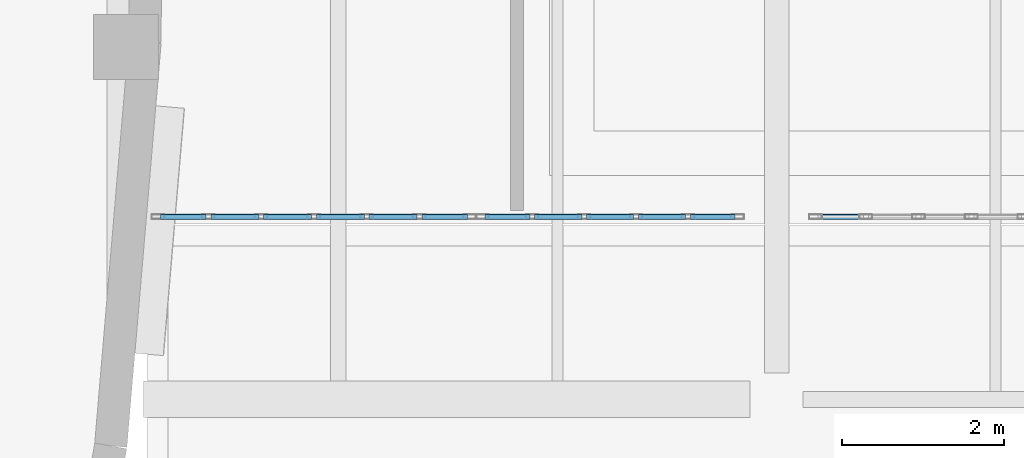
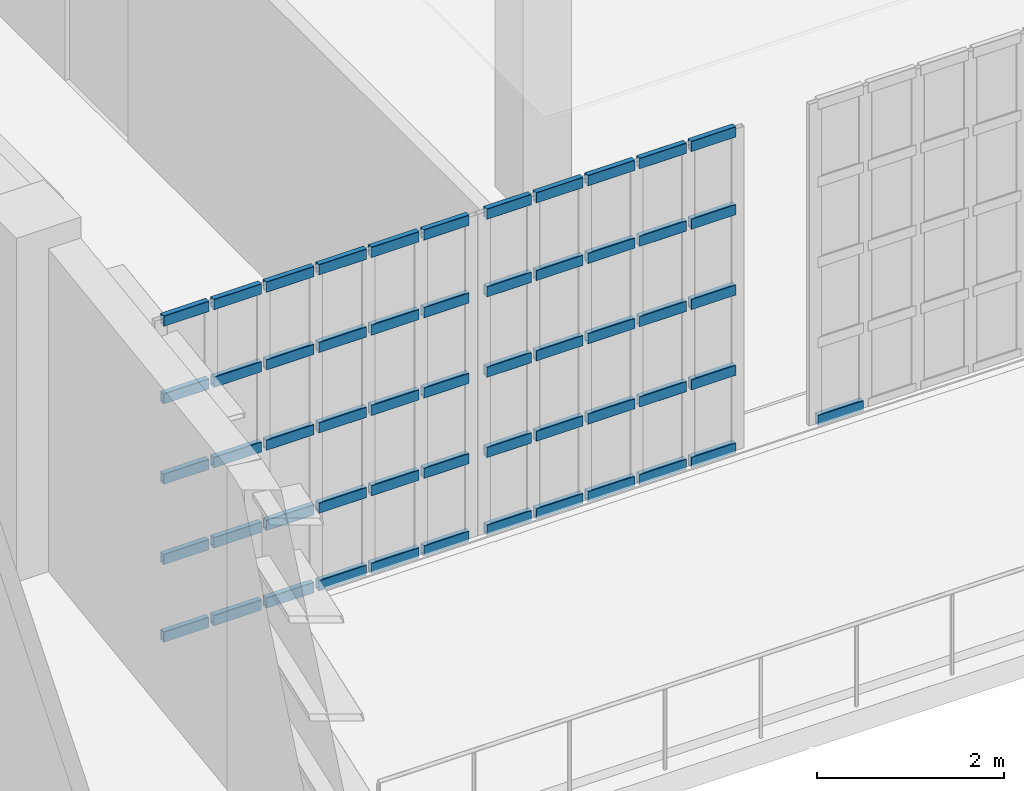
# One storey, part 35 of 73: 56 members, 3 elements without a shape of their own.
"""IFC4 building model written with IfcOpenShell, lengths in metres."""

from ifc_helpers import new_model, si_unit, direction, frame, origin, origin_2d, place, context, subcontext, project, spatial, hollow_rectangle, extrude, material, material_profile, profile_set, type_object, element, aggregate, save


model = new_model("IFC4")

# Units and contexts
model_context = context("Model", 3, precision=1e-05, world=origin(), true_north=direction((0.0, 1.0)))
body_context = subcontext(model_context, "Body", "Model", "MODEL_VIEW")
ifc_project = project(units=[si_unit("LENGTHUNIT", "METRE"), si_unit("AREAUNIT", "SQUARE_METRE"), si_unit("VOLUMEUNIT", "CUBIC_METRE"), si_unit("PLANEANGLEUNIT", "RADIAN"), si_unit("MASSUNIT", "GRAM", prefix="KILO")], contexts=[model_context])

# Site, building, storey
site_placement = place(None, origin())
site = spatial("IfcSite", under=ifc_project, at=site_placement, CompositionType="ELEMENT")
building_placement = place(site_placement, origin())
building = spatial("IfcBuilding", under=site, at=building_placement, Name="Kaelora Sail Theatre", CompositionType="ELEMENT")
storey_placement = place(building_placement, frame((0.0, 0.0, 10.199951171875)))
storey = spatial("IfcBuildingStorey", under=building, at=storey_placement, Name="L02", CompositionType="ELEMENT", Elevation=10.199951171875)

# Curtain wall, members
ifc_material_1 = material(Name="Anodised aluminium and solar-control low-E IGU", Category="aluminium")
curtain_wall_type = type_object("IfcCurtainWallType", Name="ARC-CW-CW-BRG", PredefinedType="NOTDEFINED", material=ifc_material_1)
curtain_wall_1_placement = place(storey_placement, origin())
curtain_wall_1 = element("IfcCurtainWall", 1, at=curtain_wall_1_placement, inside=storey, type_object=curtain_wall_type, Name="West Interstitial Sail Foyer Curtain Wall L02-01", PredefinedType="NOTDEFINED")
ifc_material_2 = material(Name="Anodised aluminium 6063-T6", Category="aluminium")
ifc_material_profile = material_profile(ifc_material_2, hollow_rectangle(XDim=0.070068359375, YDim=0.139892578125, WallThickness=0.00390625, InnerFilletRadius=0.00390625, OuterFilletRadius=0.008056640625, at=origin_2d()), Name="ALU-TRAN 70x140x4")
ifc_profile_set = profile_set([ifc_material_profile], Name="Anodised aluminium 6063-T6")
member_type = type_object("IfcMemberType", Name="ARC-MEM-TR-140", PredefinedType="USERDEFINED", material=ifc_profile_set)
member_1_placement = place(storey_placement, frame((58.7099609375, 48.389892578125, 0.03515625), z_axis=(1.0, 0.0, 0.0), x_axis=(0.0, 1.0, 0.0)))
member_1 = element("IfcMember", 2, at=member_1_placement, type_object=member_type, Name="CW-BRG transom 1.1", ObjectType="TRANSOM", PredefinedType="USERDEFINED", context=body_context, shape_type="SweptSolid", body=[
    extrude(hollow_rectangle(XDim=0.070068359375, YDim=0.139892578125, WallThickness=0.00390625, InnerFilletRadius=0.00390625, OuterFilletRadius=0.008056640625, at=origin_2d()), origin(), (0.0, 0.0, 1.0), 0.56005859375),
])
member_2_placement = place(storey_placement, frame((58.7099609375, 48.389892578125, 1.05126953125), z_axis=(1.0, 0.0, 0.0), x_axis=(0.0, 1.0, 0.0)))
member_2 = element("IfcMember", 3, at=member_2_placement, type_object=member_type, Name="CW-BRG transom 1.2", ObjectType="TRANSOM", PredefinedType="USERDEFINED", context=body_context, shape_type="SweptSolid", body=[
    extrude(hollow_rectangle(XDim=0.070068359375, YDim=0.139892578125, WallThickness=0.00390625, InnerFilletRadius=0.00390625, OuterFilletRadius=0.008056640625, at=origin_2d()), origin(), (0.0, 0.0, 1.0), 0.56005859375),
])
member_3_placement = place(storey_placement, frame((58.7099609375, 48.389892578125, 2.1025390625), z_axis=(1.0, 0.0, 0.0), x_axis=(0.0, 1.0, 0.0)))
member_3 = element("IfcMember", 4, at=member_3_placement, type_object=member_type, Name="CW-BRG transom 1.3", ObjectType="TRANSOM", PredefinedType="USERDEFINED", context=body_context, shape_type="SweptSolid", body=[
    extrude(hollow_rectangle(XDim=0.070068359375, YDim=0.139892578125, WallThickness=0.00390625, InnerFilletRadius=0.00390625, OuterFilletRadius=0.008056640625, at=origin_2d()), origin(), (0.0, 0.0, 1.0), 0.56005859375),
])
member_4_placement = place(storey_placement, frame((58.7099609375, 48.389892578125, 3.15380859375), z_axis=(1.0, 0.0, 0.0), x_axis=(0.0, 1.0, 0.0)))
member_4 = element("IfcMember", 5, at=member_4_placement, type_object=member_type, Name="CW-BRG transom 1.4", ObjectType="TRANSOM", PredefinedType="USERDEFINED", context=body_context, shape_type="SweptSolid", body=[
    extrude(hollow_rectangle(XDim=0.070068359375, YDim=0.139892578125, WallThickness=0.00390625, InnerFilletRadius=0.00390625, OuterFilletRadius=0.008056640625, at=origin_2d()), origin(), (0.0, 0.0, 1.0), 0.56005859375),
])
member_5_placement = place(storey_placement, frame((58.7099609375, 48.389892578125, 4.170166015625), z_axis=(1.0, 0.0, 0.0), x_axis=(0.0, 1.0, 0.0)))
member_5 = element("IfcMember", 6, at=member_5_placement, type_object=member_type, Name="CW-BRG transom 1.5", ObjectType="TRANSOM", PredefinedType="USERDEFINED", context=body_context, shape_type="SweptSolid", body=[
    extrude(hollow_rectangle(XDim=0.070068359375, YDim=0.139892578125, WallThickness=0.00390625, InnerFilletRadius=0.00390625, OuterFilletRadius=0.008056640625, at=origin_2d()), origin(), (0.0, 0.0, 1.0), 0.56005859375),
])
member_6_placement = place(storey_placement, frame((59.330078125, 48.389892578125, 0.03515625), z_axis=(1.0, 0.0, 0.0), x_axis=(0.0, 1.0, 0.0)))
member_6 = element("IfcMember", 7, at=member_6_placement, type_object=member_type, Name="CW-BRG transom 2.1", ObjectType="TRANSOM", PredefinedType="USERDEFINED", context=body_context, shape_type="SweptSolid", body=[
    extrude(hollow_rectangle(XDim=0.070068359375, YDim=0.139892578125, WallThickness=0.00390625, InnerFilletRadius=0.00390625, OuterFilletRadius=0.008056640625, at=origin_2d()), origin(), (0.0, 0.0, 1.0), 0.58984375),
])
member_7_placement = place(storey_placement, frame((59.330078125, 48.389892578125, 1.05126953125), z_axis=(1.0, 0.0, 0.0), x_axis=(0.0, 1.0, 0.0)))
member_7 = element("IfcMember", 8, at=member_7_placement, type_object=member_type, Name="CW-BRG transom 2.2", ObjectType="TRANSOM", PredefinedType="USERDEFINED", context=body_context, shape_type="SweptSolid", body=[
    extrude(hollow_rectangle(XDim=0.070068359375, YDim=0.139892578125, WallThickness=0.00390625, InnerFilletRadius=0.00390625, OuterFilletRadius=0.008056640625, at=origin_2d()), origin(), (0.0, 0.0, 1.0), 0.58984375),
])
member_8_placement = place(storey_placement, frame((59.330078125, 48.389892578125, 2.1025390625), z_axis=(1.0, 0.0, 0.0), x_axis=(0.0, 1.0, 0.0)))
member_8 = element("IfcMember", 9, at=member_8_placement, type_object=member_type, Name="CW-BRG transom 2.3", ObjectType="TRANSOM", PredefinedType="USERDEFINED", context=body_context, shape_type="SweptSolid", body=[
    extrude(hollow_rectangle(XDim=0.070068359375, YDim=0.139892578125, WallThickness=0.00390625, InnerFilletRadius=0.00390625, OuterFilletRadius=0.008056640625, at=origin_2d()), origin(), (0.0, 0.0, 1.0), 0.58984375),
])
member_9_placement = place(storey_placement, frame((59.330078125, 48.389892578125, 3.15380859375), z_axis=(1.0, 0.0, 0.0), x_axis=(0.0, 1.0, 0.0)))
member_9 = element("IfcMember", 10, at=member_9_placement, type_object=member_type, Name="CW-BRG transom 2.4", ObjectType="TRANSOM", PredefinedType="USERDEFINED", context=body_context, shape_type="SweptSolid", body=[
    extrude(hollow_rectangle(XDim=0.070068359375, YDim=0.139892578125, WallThickness=0.00390625, InnerFilletRadius=0.00390625, OuterFilletRadius=0.008056640625, at=origin_2d()), origin(), (0.0, 0.0, 1.0), 0.58984375),
])
member_10_placement = place(storey_placement, frame((59.330078125, 48.389892578125, 4.170166015625), z_axis=(1.0, 0.0, 0.0), x_axis=(0.0, 1.0, 0.0)))
member_10 = element("IfcMember", 11, at=member_10_placement, type_object=member_type, Name="CW-BRG transom 2.5", ObjectType="TRANSOM", PredefinedType="USERDEFINED", context=body_context, shape_type="SweptSolid", body=[
    extrude(hollow_rectangle(XDim=0.070068359375, YDim=0.139892578125, WallThickness=0.00390625, InnerFilletRadius=0.00390625, OuterFilletRadius=0.008056640625, at=origin_2d()), origin(), (0.0, 0.0, 1.0), 0.58984375),
])
member_11_placement = place(storey_placement, frame((59.97998046875, 48.389892578125, 0.03515625), z_axis=(1.0, 0.0, 0.0), x_axis=(0.0, 1.0, 0.0)))
member_11 = element("IfcMember", 12, at=member_11_placement, type_object=member_type, Name="CW-BRG transom 3.1", ObjectType="TRANSOM", PredefinedType="USERDEFINED", context=body_context, shape_type="SweptSolid", body=[
    extrude(hollow_rectangle(XDim=0.070068359375, YDim=0.139892578125, WallThickness=0.00390625, InnerFilletRadius=0.00390625, OuterFilletRadius=0.008056640625, at=origin_2d()), origin(), (0.0, 0.0, 1.0), 0.590087890625),
])
member_12_placement = place(storey_placement, frame((59.97998046875, 48.389892578125, 1.05126953125), z_axis=(1.0, 0.0, 0.0), x_axis=(0.0, 1.0, 0.0)))
member_12 = element("IfcMember", 13, at=member_12_placement, type_object=member_type, Name="CW-BRG transom 3.2", ObjectType="TRANSOM", PredefinedType="USERDEFINED", context=body_context, shape_type="SweptSolid", body=[
    extrude(hollow_rectangle(XDim=0.070068359375, YDim=0.139892578125, WallThickness=0.00390625, InnerFilletRadius=0.00390625, OuterFilletRadius=0.008056640625, at=origin_2d()), origin(), (0.0, 0.0, 1.0), 0.590087890625),
])
member_13_placement = place(storey_placement, frame((59.97998046875, 48.389892578125, 2.1025390625), z_axis=(1.0, 0.0, 0.0), x_axis=(0.0, 1.0, 0.0)))
member_13 = element("IfcMember", 14, at=member_13_placement, type_object=member_type, Name="CW-BRG transom 3.3", ObjectType="TRANSOM", PredefinedType="USERDEFINED", context=body_context, shape_type="SweptSolid", body=[
    extrude(hollow_rectangle(XDim=0.070068359375, YDim=0.139892578125, WallThickness=0.00390625, InnerFilletRadius=0.00390625, OuterFilletRadius=0.008056640625, at=origin_2d()), origin(), (0.0, 0.0, 1.0), 0.590087890625),
])
member_14_placement = place(storey_placement, frame((59.97998046875, 48.389892578125, 3.15380859375), z_axis=(1.0, 0.0, 0.0), x_axis=(0.0, 1.0, 0.0)))
member_14 = element("IfcMember", 15, at=member_14_placement, type_object=member_type, Name="CW-BRG transom 3.4", ObjectType="TRANSOM", PredefinedType="USERDEFINED", context=body_context, shape_type="SweptSolid", body=[
    extrude(hollow_rectangle(XDim=0.070068359375, YDim=0.139892578125, WallThickness=0.00390625, InnerFilletRadius=0.00390625, OuterFilletRadius=0.008056640625, at=origin_2d()), origin(), (0.0, 0.0, 1.0), 0.590087890625),
])
member_15_placement = place(storey_placement, frame((59.97998046875, 48.389892578125, 4.170166015625), z_axis=(1.0, 0.0, 0.0), x_axis=(0.0, 1.0, 0.0)))
member_15 = element("IfcMember", 16, at=member_15_placement, type_object=member_type, Name="CW-BRG transom 3.5", ObjectType="TRANSOM", PredefinedType="USERDEFINED", context=body_context, shape_type="SweptSolid", body=[
    extrude(hollow_rectangle(XDim=0.070068359375, YDim=0.139892578125, WallThickness=0.00390625, InnerFilletRadius=0.00390625, OuterFilletRadius=0.008056640625, at=origin_2d()), origin(), (0.0, 0.0, 1.0), 0.590087890625),
])
member_16_placement = place(storey_placement, frame((60.6298828125, 48.389892578125, 0.03515625), z_axis=(1.0, 0.0, 0.0), x_axis=(0.0, 1.0, 0.0)))
member_16 = element("IfcMember", 17, at=member_16_placement, type_object=member_type, Name="CW-BRG transom 4.1", ObjectType="TRANSOM", PredefinedType="USERDEFINED", context=body_context, shape_type="SweptSolid", body=[
    extrude(hollow_rectangle(XDim=0.070068359375, YDim=0.139892578125, WallThickness=0.00390625, InnerFilletRadius=0.00390625, OuterFilletRadius=0.008056640625, at=origin_2d()), origin(), (0.0, 0.0, 1.0), 0.590087890625),
])
member_17_placement = place(storey_placement, frame((60.6298828125, 48.389892578125, 1.05126953125), z_axis=(1.0, 0.0, 0.0), x_axis=(0.0, 1.0, 0.0)))
member_17 = element("IfcMember", 18, at=member_17_placement, type_object=member_type, Name="CW-BRG transom 4.2", ObjectType="TRANSOM", PredefinedType="USERDEFINED", context=body_context, shape_type="SweptSolid", body=[
    extrude(hollow_rectangle(XDim=0.070068359375, YDim=0.139892578125, WallThickness=0.00390625, InnerFilletRadius=0.00390625, OuterFilletRadius=0.008056640625, at=origin_2d()), origin(), (0.0, 0.0, 1.0), 0.590087890625),
])
member_18_placement = place(storey_placement, frame((60.6298828125, 48.389892578125, 2.1025390625), z_axis=(1.0, 0.0, 0.0), x_axis=(0.0, 1.0, 0.0)))
member_18 = element("IfcMember", 19, at=member_18_placement, type_object=member_type, Name="CW-BRG transom 4.3", ObjectType="TRANSOM", PredefinedType="USERDEFINED", context=body_context, shape_type="SweptSolid", body=[
    extrude(hollow_rectangle(XDim=0.070068359375, YDim=0.139892578125, WallThickness=0.00390625, InnerFilletRadius=0.00390625, OuterFilletRadius=0.008056640625, at=origin_2d()), origin(), (0.0, 0.0, 1.0), 0.590087890625),
])
member_19_placement = place(storey_placement, frame((60.6298828125, 48.389892578125, 3.15380859375), z_axis=(1.0, 0.0, 0.0), x_axis=(0.0, 1.0, 0.0)))
member_19 = element("IfcMember", 20, at=member_19_placement, type_object=member_type, Name="CW-BRG transom 4.4", ObjectType="TRANSOM", PredefinedType="USERDEFINED", context=body_context, shape_type="SweptSolid", body=[
    extrude(hollow_rectangle(XDim=0.070068359375, YDim=0.139892578125, WallThickness=0.00390625, InnerFilletRadius=0.00390625, OuterFilletRadius=0.008056640625, at=origin_2d()), origin(), (0.0, 0.0, 1.0), 0.590087890625),
])
member_20_placement = place(storey_placement, frame((60.6298828125, 48.389892578125, 4.170166015625), z_axis=(1.0, 0.0, 0.0), x_axis=(0.0, 1.0, 0.0)))
member_20 = element("IfcMember", 21, at=member_20_placement, type_object=member_type, Name="CW-BRG transom 4.5", ObjectType="TRANSOM", PredefinedType="USERDEFINED", context=body_context, shape_type="SweptSolid", body=[
    extrude(hollow_rectangle(XDim=0.070068359375, YDim=0.139892578125, WallThickness=0.00390625, InnerFilletRadius=0.00390625, OuterFilletRadius=0.008056640625, at=origin_2d()), origin(), (0.0, 0.0, 1.0), 0.590087890625),
])
member_21_placement = place(storey_placement, frame((61.280029296875, 48.389892578125, 0.03515625), z_axis=(1.0, 0.0, 0.0), x_axis=(0.0, 1.0, 0.0)))
member_21 = element("IfcMember", 22, at=member_21_placement, type_object=member_type, Name="CW-BRG transom 5.1", ObjectType="TRANSOM", PredefinedType="USERDEFINED", context=body_context, shape_type="SweptSolid", body=[
    extrude(hollow_rectangle(XDim=0.070068359375, YDim=0.139892578125, WallThickness=0.00390625, InnerFilletRadius=0.00390625, OuterFilletRadius=0.008056640625, at=origin_2d()), origin(), (0.0, 0.0, 1.0), 0.590087890625),
])
member_22_placement = place(storey_placement, frame((61.280029296875, 48.389892578125, 1.05126953125), z_axis=(1.0, 0.0, 0.0), x_axis=(0.0, 1.0, 0.0)))
member_22 = element("IfcMember", 23, at=member_22_placement, type_object=member_type, Name="CW-BRG transom 5.2", ObjectType="TRANSOM", PredefinedType="USERDEFINED", context=body_context, shape_type="SweptSolid", body=[
    extrude(hollow_rectangle(XDim=0.070068359375, YDim=0.139892578125, WallThickness=0.00390625, InnerFilletRadius=0.00390625, OuterFilletRadius=0.008056640625, at=origin_2d()), origin(), (0.0, 0.0, 1.0), 0.590087890625),
])
member_23_placement = place(storey_placement, frame((61.280029296875, 48.389892578125, 2.1025390625), z_axis=(1.0, 0.0, 0.0), x_axis=(0.0, 1.0, 0.0)))
member_23 = element("IfcMember", 24, at=member_23_placement, type_object=member_type, Name="CW-BRG transom 5.3", ObjectType="TRANSOM", PredefinedType="USERDEFINED", context=body_context, shape_type="SweptSolid", body=[
    extrude(hollow_rectangle(XDim=0.070068359375, YDim=0.139892578125, WallThickness=0.00390625, InnerFilletRadius=0.00390625, OuterFilletRadius=0.008056640625, at=origin_2d()), origin(), (0.0, 0.0, 1.0), 0.590087890625),
])
member_24_placement = place(storey_placement, frame((61.280029296875, 48.389892578125, 3.15380859375), z_axis=(1.0, 0.0, 0.0), x_axis=(0.0, 1.0, 0.0)))
member_24 = element("IfcMember", 25, at=member_24_placement, type_object=member_type, Name="CW-BRG transom 5.4", ObjectType="TRANSOM", PredefinedType="USERDEFINED", context=body_context, shape_type="SweptSolid", body=[
    extrude(hollow_rectangle(XDim=0.070068359375, YDim=0.139892578125, WallThickness=0.00390625, InnerFilletRadius=0.00390625, OuterFilletRadius=0.008056640625, at=origin_2d()), origin(), (0.0, 0.0, 1.0), 0.590087890625),
])
member_25_placement = place(storey_placement, frame((61.280029296875, 48.389892578125, 4.170166015625), z_axis=(1.0, 0.0, 0.0), x_axis=(0.0, 1.0, 0.0)))
member_25 = element("IfcMember", 26, at=member_25_placement, type_object=member_type, Name="CW-BRG transom 5.5", ObjectType="TRANSOM", PredefinedType="USERDEFINED", context=body_context, shape_type="SweptSolid", body=[
    extrude(hollow_rectangle(XDim=0.070068359375, YDim=0.139892578125, WallThickness=0.00390625, InnerFilletRadius=0.00390625, OuterFilletRadius=0.008056640625, at=origin_2d()), origin(), (0.0, 0.0, 1.0), 0.590087890625),
])
member_26_placement = place(storey_placement, frame((61.929931640625, 48.389892578125, 0.03515625), z_axis=(1.0, 0.0, 0.0), x_axis=(0.0, 1.0, 0.0)))
member_26 = element("IfcMember", 27, at=member_26_placement, type_object=member_type, Name="CW-BRG transom 6.1", ObjectType="TRANSOM", PredefinedType="USERDEFINED", context=body_context, shape_type="SweptSolid", body=[
    extrude(hollow_rectangle(XDim=0.070068359375, YDim=0.139892578125, WallThickness=0.00390625, InnerFilletRadius=0.00390625, OuterFilletRadius=0.008056640625, at=origin_2d()), origin(), (0.0, 0.0, 1.0), 0.56005859375),
])
member_27_placement = place(storey_placement, frame((61.929931640625, 48.389892578125, 1.05126953125), z_axis=(1.0, 0.0, 0.0), x_axis=(0.0, 1.0, 0.0)))
member_27 = element("IfcMember", 28, at=member_27_placement, type_object=member_type, Name="CW-BRG transom 6.2", ObjectType="TRANSOM", PredefinedType="USERDEFINED", context=body_context, shape_type="SweptSolid", body=[
    extrude(hollow_rectangle(XDim=0.070068359375, YDim=0.139892578125, WallThickness=0.00390625, InnerFilletRadius=0.00390625, OuterFilletRadius=0.008056640625, at=origin_2d()), origin(), (0.0, 0.0, 1.0), 0.56005859375),
])
member_28_placement = place(storey_placement, frame((61.929931640625, 48.389892578125, 2.1025390625), z_axis=(1.0, 0.0, 0.0), x_axis=(0.0, 1.0, 0.0)))
member_28 = element("IfcMember", 29, at=member_28_placement, type_object=member_type, Name="CW-BRG transom 6.3", ObjectType="TRANSOM", PredefinedType="USERDEFINED", context=body_context, shape_type="SweptSolid", body=[
    extrude(hollow_rectangle(XDim=0.070068359375, YDim=0.139892578125, WallThickness=0.00390625, InnerFilletRadius=0.00390625, OuterFilletRadius=0.008056640625, at=origin_2d()), origin(), (0.0, 0.0, 1.0), 0.56005859375),
])
member_29_placement = place(storey_placement, frame((61.929931640625, 48.389892578125, 3.15380859375), z_axis=(1.0, 0.0, 0.0), x_axis=(0.0, 1.0, 0.0)))
member_29 = element("IfcMember", 30, at=member_29_placement, type_object=member_type, Name="CW-BRG transom 6.4", ObjectType="TRANSOM", PredefinedType="USERDEFINED", context=body_context, shape_type="SweptSolid", body=[
    extrude(hollow_rectangle(XDim=0.070068359375, YDim=0.139892578125, WallThickness=0.00390625, InnerFilletRadius=0.00390625, OuterFilletRadius=0.008056640625, at=origin_2d()), origin(), (0.0, 0.0, 1.0), 0.56005859375),
])
member_30_placement = place(storey_placement, frame((61.929931640625, 48.389892578125, 4.170166015625), z_axis=(1.0, 0.0, 0.0), x_axis=(0.0, 1.0, 0.0)))
member_30 = element("IfcMember", 31, at=member_30_placement, type_object=member_type, Name="CW-BRG transom 6.5", ObjectType="TRANSOM", PredefinedType="USERDEFINED", context=body_context, shape_type="SweptSolid", body=[
    extrude(hollow_rectangle(XDim=0.070068359375, YDim=0.139892578125, WallThickness=0.00390625, InnerFilletRadius=0.00390625, OuterFilletRadius=0.008056640625, at=origin_2d()), origin(), (0.0, 0.0, 1.0), 0.56005859375),
])
aggregate(curtain_wall_1, [member_1, member_2, member_3, member_4, member_5, member_6, member_7, member_8, member_9, member_10, member_11, member_12, member_13, member_14, member_15, member_16, member_17, member_18, member_19, member_20, member_21, member_22, member_23, member_24, member_25, member_26, member_27, member_28, member_29, member_30])

curtain_wall_2_placement = place(storey_placement, origin())
curtain_wall_2 = element("IfcCurtainWall", 32, at=curtain_wall_2_placement, inside=storey, type_object=curtain_wall_type, Name="West Interstitial Sail Foyer Curtain Wall L02-02", PredefinedType="NOTDEFINED")
member_31_placement = place(storey_placement, frame((62.7099609375, 48.389892578125, 0.03515625), z_axis=(1.0, 0.0, 0.0), x_axis=(0.0, 1.0, 0.0)))
member_31 = element("IfcMember", 33, at=member_31_placement, type_object=member_type, Name="CW-BRG transom 1.1", ObjectType="TRANSOM", PredefinedType="USERDEFINED", context=body_context, shape_type="SweptSolid", body=[
    extrude(hollow_rectangle(XDim=0.070068359375, YDim=0.139892578125, WallThickness=0.00390625, InnerFilletRadius=0.00390625, OuterFilletRadius=0.008056640625, at=origin_2d()), origin(), (0.0, 0.0, 1.0), 0.550048828125),
])
member_32_placement = place(storey_placement, frame((62.7099609375, 48.389892578125, 1.05126953125), z_axis=(1.0, 0.0, 0.0), x_axis=(0.0, 1.0, 0.0)))
member_32 = element("IfcMember", 34, at=member_32_placement, type_object=member_type, Name="CW-BRG transom 1.2", ObjectType="TRANSOM", PredefinedType="USERDEFINED", context=body_context, shape_type="SweptSolid", body=[
    extrude(hollow_rectangle(XDim=0.070068359375, YDim=0.139892578125, WallThickness=0.00390625, InnerFilletRadius=0.00390625, OuterFilletRadius=0.008056640625, at=origin_2d()), origin(), (0.0, 0.0, 1.0), 0.550048828125),
])
member_33_placement = place(storey_placement, frame((62.7099609375, 48.389892578125, 2.1025390625), z_axis=(1.0, 0.0, 0.0), x_axis=(0.0, 1.0, 0.0)))
member_33 = element("IfcMember", 35, at=member_33_placement, type_object=member_type, Name="CW-BRG transom 1.3", ObjectType="TRANSOM", PredefinedType="USERDEFINED", context=body_context, shape_type="SweptSolid", body=[
    extrude(hollow_rectangle(XDim=0.070068359375, YDim=0.139892578125, WallThickness=0.00390625, InnerFilletRadius=0.00390625, OuterFilletRadius=0.008056640625, at=origin_2d()), origin(), (0.0, 0.0, 1.0), 0.550048828125),
])
member_34_placement = place(storey_placement, frame((62.7099609375, 48.389892578125, 3.15380859375), z_axis=(1.0, 0.0, 0.0), x_axis=(0.0, 1.0, 0.0)))
member_34 = element("IfcMember", 36, at=member_34_placement, type_object=member_type, Name="CW-BRG transom 1.4", ObjectType="TRANSOM", PredefinedType="USERDEFINED", context=body_context, shape_type="SweptSolid", body=[
    extrude(hollow_rectangle(XDim=0.070068359375, YDim=0.139892578125, WallThickness=0.00390625, InnerFilletRadius=0.00390625, OuterFilletRadius=0.008056640625, at=origin_2d()), origin(), (0.0, 0.0, 1.0), 0.550048828125),
])
member_35_placement = place(storey_placement, frame((62.7099609375, 48.389892578125, 4.170166015625), z_axis=(1.0, 0.0, 0.0), x_axis=(0.0, 1.0, 0.0)))
member_35 = element("IfcMember", 37, at=member_35_placement, type_object=member_type, Name="CW-BRG transom 1.5", ObjectType="TRANSOM", PredefinedType="USERDEFINED", context=body_context, shape_type="SweptSolid", body=[
    extrude(hollow_rectangle(XDim=0.070068359375, YDim=0.139892578125, WallThickness=0.00390625, InnerFilletRadius=0.00390625, OuterFilletRadius=0.008056640625, at=origin_2d()), origin(), (0.0, 0.0, 1.0), 0.550048828125),
])
member_36_placement = place(storey_placement, frame((63.320068359375, 48.389892578125, 0.03515625), z_axis=(1.0, 0.0, 0.0), x_axis=(0.0, 1.0, 0.0)))
member_36 = element("IfcMember", 38, at=member_36_placement, type_object=member_type, Name="CW-BRG transom 2.1", ObjectType="TRANSOM", PredefinedType="USERDEFINED", context=body_context, shape_type="SweptSolid", body=[
    extrude(hollow_rectangle(XDim=0.070068359375, YDim=0.139892578125, WallThickness=0.00390625, InnerFilletRadius=0.00390625, OuterFilletRadius=0.008056640625, at=origin_2d()), origin(), (0.0, 0.0, 1.0), 0.579833984375),
])
member_37_placement = place(storey_placement, frame((63.320068359375, 48.389892578125, 1.05126953125), z_axis=(1.0, 0.0, 0.0), x_axis=(0.0, 1.0, 0.0)))
member_37 = element("IfcMember", 39, at=member_37_placement, type_object=member_type, Name="CW-BRG transom 2.2", ObjectType="TRANSOM", PredefinedType="USERDEFINED", context=body_context, shape_type="SweptSolid", body=[
    extrude(hollow_rectangle(XDim=0.070068359375, YDim=0.139892578125, WallThickness=0.00390625, InnerFilletRadius=0.00390625, OuterFilletRadius=0.008056640625, at=origin_2d()), origin(), (0.0, 0.0, 1.0), 0.579833984375),
])
member_38_placement = place(storey_placement, frame((63.320068359375, 48.389892578125, 2.1025390625), z_axis=(1.0, 0.0, 0.0), x_axis=(0.0, 1.0, 0.0)))
member_38 = element("IfcMember", 40, at=member_38_placement, type_object=member_type, Name="CW-BRG transom 2.3", ObjectType="TRANSOM", PredefinedType="USERDEFINED", context=body_context, shape_type="SweptSolid", body=[
    extrude(hollow_rectangle(XDim=0.070068359375, YDim=0.139892578125, WallThickness=0.00390625, InnerFilletRadius=0.00390625, OuterFilletRadius=0.008056640625, at=origin_2d()), origin(), (0.0, 0.0, 1.0), 0.579833984375),
])
member_39_placement = place(storey_placement, frame((63.320068359375, 48.389892578125, 3.15380859375), z_axis=(1.0, 0.0, 0.0), x_axis=(0.0, 1.0, 0.0)))
member_39 = element("IfcMember", 41, at=member_39_placement, type_object=member_type, Name="CW-BRG transom 2.4", ObjectType="TRANSOM", PredefinedType="USERDEFINED", context=body_context, shape_type="SweptSolid", body=[
    extrude(hollow_rectangle(XDim=0.070068359375, YDim=0.139892578125, WallThickness=0.00390625, InnerFilletRadius=0.00390625, OuterFilletRadius=0.008056640625, at=origin_2d()), origin(), (0.0, 0.0, 1.0), 0.579833984375),
])
member_40_placement = place(storey_placement, frame((63.320068359375, 48.389892578125, 4.170166015625), z_axis=(1.0, 0.0, 0.0), x_axis=(0.0, 1.0, 0.0)))
member_40 = element("IfcMember", 42, at=member_40_placement, type_object=member_type, Name="CW-BRG transom 2.5", ObjectType="TRANSOM", PredefinedType="USERDEFINED", context=body_context, shape_type="SweptSolid", body=[
    extrude(hollow_rectangle(XDim=0.070068359375, YDim=0.139892578125, WallThickness=0.00390625, InnerFilletRadius=0.00390625, OuterFilletRadius=0.008056640625, at=origin_2d()), origin(), (0.0, 0.0, 1.0), 0.579833984375),
])
member_41_placement = place(storey_placement, frame((63.9599609375, 48.389892578125, 0.03515625), z_axis=(1.0, 0.0, 0.0), x_axis=(0.0, 1.0, 0.0)))
member_41 = element("IfcMember", 43, at=member_41_placement, type_object=member_type, Name="CW-BRG transom 3.1", ObjectType="TRANSOM", PredefinedType="USERDEFINED", context=body_context, shape_type="SweptSolid", body=[
    extrude(hollow_rectangle(XDim=0.070068359375, YDim=0.139892578125, WallThickness=0.00390625, InnerFilletRadius=0.00390625, OuterFilletRadius=0.008056640625, at=origin_2d()), origin(), (0.0, 0.0, 1.0), 0.580078125),
])
member_42_placement = place(storey_placement, frame((63.9599609375, 48.389892578125, 1.05126953125), z_axis=(1.0, 0.0, 0.0), x_axis=(0.0, 1.0, 0.0)))
member_42 = element("IfcMember", 44, at=member_42_placement, type_object=member_type, Name="CW-BRG transom 3.2", ObjectType="TRANSOM", PredefinedType="USERDEFINED", context=body_context, shape_type="SweptSolid", body=[
    extrude(hollow_rectangle(XDim=0.070068359375, YDim=0.139892578125, WallThickness=0.00390625, InnerFilletRadius=0.00390625, OuterFilletRadius=0.008056640625, at=origin_2d()), origin(), (0.0, 0.0, 1.0), 0.580078125),
])
member_43_placement = place(storey_placement, frame((63.9599609375, 48.389892578125, 2.1025390625), z_axis=(1.0, 0.0, 0.0), x_axis=(0.0, 1.0, 0.0)))
member_43 = element("IfcMember", 45, at=member_43_placement, type_object=member_type, Name="CW-BRG transom 3.3", ObjectType="TRANSOM", PredefinedType="USERDEFINED", context=body_context, shape_type="SweptSolid", body=[
    extrude(hollow_rectangle(XDim=0.070068359375, YDim=0.139892578125, WallThickness=0.00390625, InnerFilletRadius=0.00390625, OuterFilletRadius=0.008056640625, at=origin_2d()), origin(), (0.0, 0.0, 1.0), 0.580078125),
])
member_44_placement = place(storey_placement, frame((63.9599609375, 48.389892578125, 3.15380859375), z_axis=(1.0, 0.0, 0.0), x_axis=(0.0, 1.0, 0.0)))
member_44 = element("IfcMember", 46, at=member_44_placement, type_object=member_type, Name="CW-BRG transom 3.4", ObjectType="TRANSOM", PredefinedType="USERDEFINED", context=body_context, shape_type="SweptSolid", body=[
    extrude(hollow_rectangle(XDim=0.070068359375, YDim=0.139892578125, WallThickness=0.00390625, InnerFilletRadius=0.00390625, OuterFilletRadius=0.008056640625, at=origin_2d()), origin(), (0.0, 0.0, 1.0), 0.580078125),
])
member_45_placement = place(storey_placement, frame((63.9599609375, 48.389892578125, 4.170166015625), z_axis=(1.0, 0.0, 0.0), x_axis=(0.0, 1.0, 0.0)))
member_45 = element("IfcMember", 47, at=member_45_placement, type_object=member_type, Name="CW-BRG transom 3.5", ObjectType="TRANSOM", PredefinedType="USERDEFINED", context=body_context, shape_type="SweptSolid", body=[
    extrude(hollow_rectangle(XDim=0.070068359375, YDim=0.139892578125, WallThickness=0.00390625, InnerFilletRadius=0.00390625, OuterFilletRadius=0.008056640625, at=origin_2d()), origin(), (0.0, 0.0, 1.0), 0.580078125),
])
member_46_placement = place(storey_placement, frame((64.60009765625, 48.389892578125, 0.03515625), z_axis=(1.0, 0.0, 0.0), x_axis=(0.0, 1.0, 0.0)))
member_46 = element("IfcMember", 48, at=member_46_placement, type_object=member_type, Name="CW-BRG transom 4.1", ObjectType="TRANSOM", PredefinedType="USERDEFINED", context=body_context, shape_type="SweptSolid", body=[
    extrude(hollow_rectangle(XDim=0.070068359375, YDim=0.139892578125, WallThickness=0.00390625, InnerFilletRadius=0.00390625, OuterFilletRadius=0.008056640625, at=origin_2d()), origin(), (0.0, 0.0, 1.0), 0.579833984375),
])
member_47_placement = place(storey_placement, frame((64.60009765625, 48.389892578125, 1.05126953125), z_axis=(1.0, 0.0, 0.0), x_axis=(0.0, 1.0, 0.0)))
member_47 = element("IfcMember", 49, at=member_47_placement, type_object=member_type, Name="CW-BRG transom 4.2", ObjectType="TRANSOM", PredefinedType="USERDEFINED", context=body_context, shape_type="SweptSolid", body=[
    extrude(hollow_rectangle(XDim=0.070068359375, YDim=0.139892578125, WallThickness=0.00390625, InnerFilletRadius=0.00390625, OuterFilletRadius=0.008056640625, at=origin_2d()), origin(), (0.0, 0.0, 1.0), 0.579833984375),
])
member_48_placement = place(storey_placement, frame((64.60009765625, 48.389892578125, 2.1025390625), z_axis=(1.0, 0.0, 0.0), x_axis=(0.0, 1.0, 0.0)))
member_48 = element("IfcMember", 50, at=member_48_placement, type_object=member_type, Name="CW-BRG transom 4.3", ObjectType="TRANSOM", PredefinedType="USERDEFINED", context=body_context, shape_type="SweptSolid", body=[
    extrude(hollow_rectangle(XDim=0.070068359375, YDim=0.139892578125, WallThickness=0.00390625, InnerFilletRadius=0.00390625, OuterFilletRadius=0.008056640625, at=origin_2d()), origin(), (0.0, 0.0, 1.0), 0.579833984375),
])
member_49_placement = place(storey_placement, frame((64.60009765625, 48.389892578125, 3.15380859375), z_axis=(1.0, 0.0, 0.0), x_axis=(0.0, 1.0, 0.0)))
member_49 = element("IfcMember", 51, at=member_49_placement, type_object=member_type, Name="CW-BRG transom 4.4", ObjectType="TRANSOM", PredefinedType="USERDEFINED", context=body_context, shape_type="SweptSolid", body=[
    extrude(hollow_rectangle(XDim=0.070068359375, YDim=0.139892578125, WallThickness=0.00390625, InnerFilletRadius=0.00390625, OuterFilletRadius=0.008056640625, at=origin_2d()), origin(), (0.0, 0.0, 1.0), 0.579833984375),
])
member_50_placement = place(storey_placement, frame((64.60009765625, 48.389892578125, 4.170166015625), z_axis=(1.0, 0.0, 0.0), x_axis=(0.0, 1.0, 0.0)))
member_50 = element("IfcMember", 52, at=member_50_placement, type_object=member_type, Name="CW-BRG transom 4.5", ObjectType="TRANSOM", PredefinedType="USERDEFINED", context=body_context, shape_type="SweptSolid", body=[
    extrude(hollow_rectangle(XDim=0.070068359375, YDim=0.139892578125, WallThickness=0.00390625, InnerFilletRadius=0.00390625, OuterFilletRadius=0.008056640625, at=origin_2d()), origin(), (0.0, 0.0, 1.0), 0.579833984375),
])
member_51_placement = place(storey_placement, frame((65.239990234375, 48.389892578125, 0.03515625), z_axis=(1.0, 0.0, 0.0), x_axis=(0.0, 1.0, 0.0)))
member_51 = element("IfcMember", 53, at=member_51_placement, type_object=member_type, Name="CW-BRG transom 5.1", ObjectType="TRANSOM", PredefinedType="USERDEFINED", context=body_context, shape_type="SweptSolid", body=[
    extrude(hollow_rectangle(XDim=0.070068359375, YDim=0.139892578125, WallThickness=0.00390625, InnerFilletRadius=0.00390625, OuterFilletRadius=0.008056640625, at=origin_2d()), origin(), (0.0, 0.0, 1.0), 0.550048828125),
])
member_52_placement = place(storey_placement, frame((65.239990234375, 48.389892578125, 1.05126953125), z_axis=(1.0, 0.0, 0.0), x_axis=(0.0, 1.0, 0.0)))
member_52 = element("IfcMember", 54, at=member_52_placement, type_object=member_type, Name="CW-BRG transom 5.2", ObjectType="TRANSOM", PredefinedType="USERDEFINED", context=body_context, shape_type="SweptSolid", body=[
    extrude(hollow_rectangle(XDim=0.070068359375, YDim=0.139892578125, WallThickness=0.00390625, InnerFilletRadius=0.00390625, OuterFilletRadius=0.008056640625, at=origin_2d()), origin(), (0.0, 0.0, 1.0), 0.550048828125),
])
member_53_placement = place(storey_placement, frame((65.239990234375, 48.389892578125, 2.1025390625), z_axis=(1.0, 0.0, 0.0), x_axis=(0.0, 1.0, 0.0)))
member_53 = element("IfcMember", 55, at=member_53_placement, type_object=member_type, Name="CW-BRG transom 5.3", ObjectType="TRANSOM", PredefinedType="USERDEFINED", context=body_context, shape_type="SweptSolid", body=[
    extrude(hollow_rectangle(XDim=0.070068359375, YDim=0.139892578125, WallThickness=0.00390625, InnerFilletRadius=0.00390625, OuterFilletRadius=0.008056640625, at=origin_2d()), origin(), (0.0, 0.0, 1.0), 0.550048828125),
])
member_54_placement = place(storey_placement, frame((65.239990234375, 48.389892578125, 3.15380859375), z_axis=(1.0, 0.0, 0.0), x_axis=(0.0, 1.0, 0.0)))
member_54 = element("IfcMember", 56, at=member_54_placement, type_object=member_type, Name="CW-BRG transom 5.4", ObjectType="TRANSOM", PredefinedType="USERDEFINED", context=body_context, shape_type="SweptSolid", body=[
    extrude(hollow_rectangle(XDim=0.070068359375, YDim=0.139892578125, WallThickness=0.00390625, InnerFilletRadius=0.00390625, OuterFilletRadius=0.008056640625, at=origin_2d()), origin(), (0.0, 0.0, 1.0), 0.550048828125),
])
member_55_placement = place(storey_placement, frame((65.239990234375, 48.389892578125, 4.170166015625), z_axis=(1.0, 0.0, 0.0), x_axis=(0.0, 1.0, 0.0)))
member_55 = element("IfcMember", 57, at=member_55_placement, type_object=member_type, Name="CW-BRG transom 5.5", ObjectType="TRANSOM", PredefinedType="USERDEFINED", context=body_context, shape_type="SweptSolid", body=[
    extrude(hollow_rectangle(XDim=0.070068359375, YDim=0.139892578125, WallThickness=0.00390625, InnerFilletRadius=0.00390625, OuterFilletRadius=0.008056640625, at=origin_2d()), origin(), (0.0, 0.0, 1.0), 0.550048828125),
])
aggregate(curtain_wall_2, [member_31, member_32, member_33, member_34, member_35, member_36, member_37, member_38, member_39, member_40, member_41, member_42, member_43, member_44, member_45, member_46, member_47, member_48, member_49, member_50, member_51, member_52, member_53, member_54, member_55])

# Curtain wall, member
curtain_wall_3_placement = place(storey_placement, origin())
curtain_wall_3 = element("IfcCurtainWall", 58, at=curtain_wall_3_placement, inside=storey, type_object=curtain_wall_type, Name="West Interstitial Sail Foyer Curtain Wall L02-03", PredefinedType="NOTDEFINED")
member_56_placement = place(storey_placement, frame((66.81005859375, 48.389892578125, 0.03515625), z_axis=(1.0, 0.0, 0.0), x_axis=(0.0, 1.0, 0.0)))
member_56 = element("IfcMember", 59, at=member_56_placement, type_object=member_type, Name="CW-BRG transom 1.1", ObjectType="TRANSOM", PredefinedType="USERDEFINED", context=body_context, shape_type="SweptSolid", body=[
    extrude(hollow_rectangle(XDim=0.070068359375, YDim=0.139892578125, WallThickness=0.00390625, InnerFilletRadius=0.00390625, OuterFilletRadius=0.008056640625, at=origin_2d()), origin(), (0.0, 0.0, 1.0), 0.56005859375),
])
aggregate(curtain_wall_3, [member_56])

save(model, "model.ifc")
